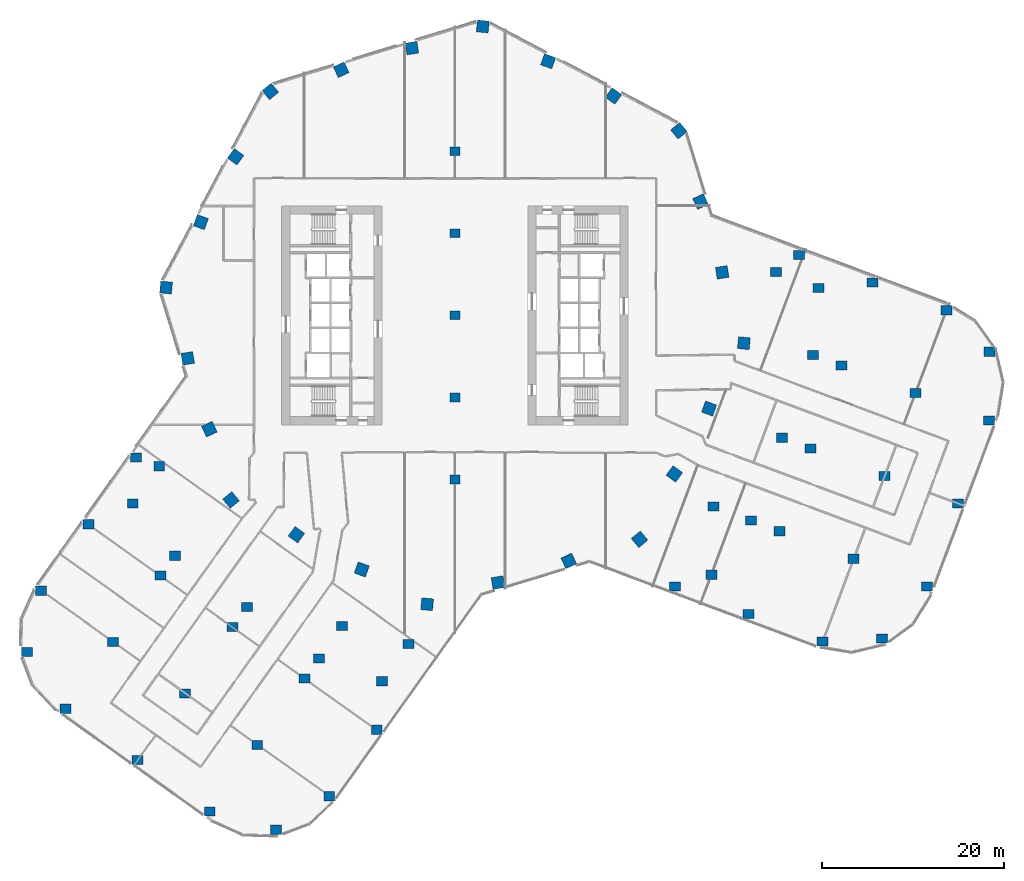
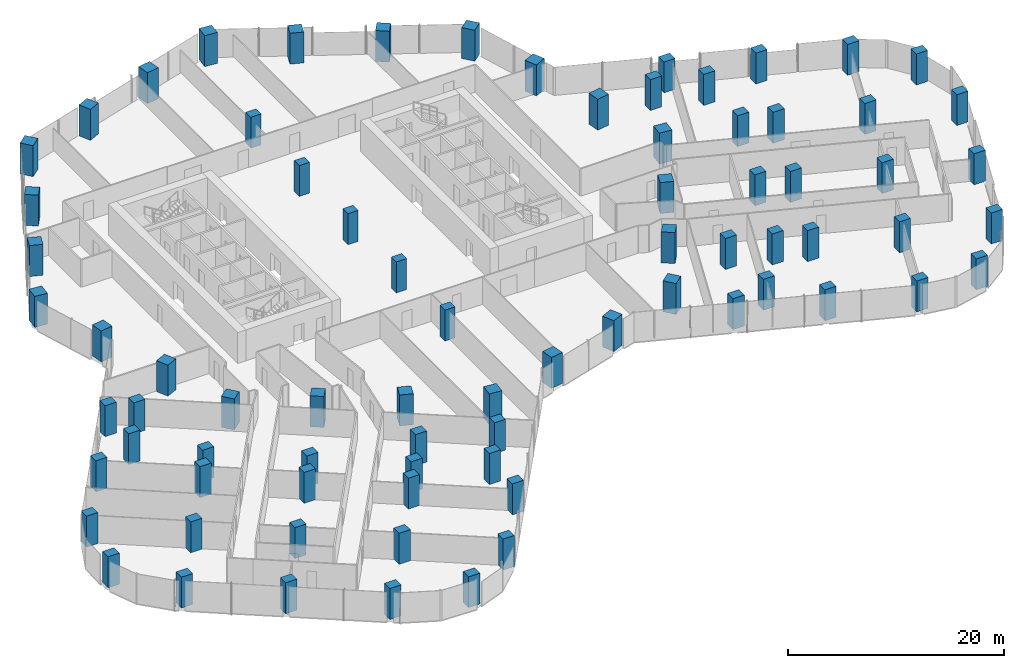
# One storey, part 1 of 31: 77 columns.
"""IFC4 building model written with IfcOpenShell, lengths in metres."""

from ifc_helpers import new_model, si_unit, direction, frame, origin, origin_2d, place, context, subcontext, project, spatial, rectangle, extrude, material, material_profile, profile_set, type_object, element, save


model = new_model("IFC4")

# Units and contexts
model_context = context("Model", 3, precision=1e-05, world=origin(), true_north=direction((0.0, 1.0)))
body_context = subcontext(model_context, "Body", "Model", "MODEL_VIEW")
ifc_project = project(units=[si_unit("LENGTHUNIT", "METRE"), si_unit("AREAUNIT", "SQUARE_METRE"), si_unit("VOLUMEUNIT", "CUBIC_METRE"), si_unit("PLANEANGLEUNIT", "RADIAN"), si_unit("MASSUNIT", "GRAM", prefix="KILO")], contexts=[model_context])

# Site, building, storey
site_placement = place(None, origin())
site = spatial("IfcSite", under=ifc_project, at=site_placement, CompositionType="ELEMENT")
building_placement = place(site_placement, origin())
building = spatial("IfcBuilding", under=site, at=building_placement, Name="Orlundy Tower", CompositionType="ELEMENT")
storey_placement = place(building_placement, frame((0.0, 0.0, 94.699951171875)))
storey = spatial("IfcBuildingStorey", under=building, at=storey_placement, Name="L23", CompositionType="ELEMENT", Elevation=94.699951171875)

# Columns
ifc_material_1 = material(Name="Concrete C80/95", Category="concrete")
ifc_material_profile_1 = material_profile(ifc_material_1, rectangle(XDim=1.10009765625, YDim=0.949951171875, at=origin_2d()), Name="RC1100X950")
ifc_profile_set_1 = profile_set([ifc_material_profile_1], Name="Concrete C80/95")
column_type_1 = type_object("IfcColumnType", Name="RC COLUMN RC1100X950 C80/95", PredefinedType="COLUMN", material=ifc_profile_set_1)
for number, where, z_axis, x_axis, name in (
    (1, (0.0, -18.0, 0.0), (0.0, 0.0, 1.0), (1.0, 0.0, 0.0), "Column C-M1 L23"),
    (2, (0.0, -9.0, 0.0), (0.0, 0.0, 1.0), (1.0, 0.0, 0.0), "Column C-M2 L23"),
    (3, (0.0, 0.0, 0.0), (0.0, 0.0, 1.0), (1.0, 0.0, 0.0), "Column C-M3 L23"),
    (4, (0.0, 9.0, 0.0), (0.0, 0.0, 1.0), (1.0, 0.0, 0.0), "Column C-M4 L23"),
    (5, (0.0, 18.0, 0.0), (0.0, 0.0, 1.0), (1.0, 0.0, 0.0), "Column C-M5 L23"),
):
    element("IfcColumn", number, at=place(storey_placement, frame(where, z_axis=z_axis, x_axis=x_axis)), inside=storey, type_object=column_type_1, Name=name, PredefinedType="COLUMN", context=body_context, shape_type="SweptSolid", body=[
        extrude(rectangle(XDim=1.10009765625, YDim=0.949951171875, at=origin_2d()), origin(), (0.0, 0.0, 1.0), 3.5),
    ])
ifc_material_2 = material(Name="Concrete C80/95", Category="concrete")
ifc_material_profile_2 = material_profile(ifc_material_2, rectangle(XDim=1.199951171875, YDim=1.0, at=origin_2d()), Name="RC1200X1000")
ifc_profile_set_2 = profile_set([ifc_material_profile_2], Name="Concrete C80/95")
column_type_2 = type_object("IfcColumnType", Name="RC COLUMN RC1200X1000 C80/95", PredefinedType="COLUMN", material=ifc_profile_set_2)
for number, where, z_axis, x_axis, name in (
    (6, (24.115966796875, -29.72802734375, 0.0), (0.0, 0.0, 1.0), (1.0, 0.0, 0.0), "Column C-A1-1 L23"),
    (7, (32.202880859375, -32.751953125, 0.0), (0.0, 0.0, 1.0), (1.0, 0.0, 0.0), "Column C-A1-2 L23"),
    (8, (40.291015625, -35.77099609375, 0.0), (0.0, 0.0, 1.0), (1.0, 0.0, 0.0), "Column C-A1-3 L23"),
    (9, (46.846923828125, -35.444091796875, 0.0), (0.0, 0.0, 1.0), (1.0, 0.0, 0.0), "Column C-A1-5 L23"),
    (10, (28.114013671875, -28.43994140625, 0.0), (0.0, 0.0, 1.0), (1.0, 0.0, 0.0), "Column C-A1-6 L23"),
    (11, (35.60009765625, -23.666015625, 0.0), (0.0, 0.0, 1.0), (1.0, 0.0, 0.0), "Column C-A2-2 L23"),
    (12, (43.68603515625, -26.68896484375, 0.0), (0.0, 0.0, 1.0), (1.0, 0.0, 0.0), "Column C-A2-3 L23"),
    (13, (51.77294921875, -29.712890625, 0.0), (0.0, 0.0, 1.0), (1.0, 0.0, 0.0), "Column C-A2-5 L23"),
    (14, (32.47802734375, -22.4990234375, 0.0), (0.0, 0.0, 1.0), (1.0, 0.0, 0.0), "Column C-A2-6 L23"),
    (15, (28.35595703125, -20.9580078125, 0.0), (0.0, 0.0, 1.0), (1.0, 0.0, 0.0), "Column C-A2-7 L23"),
    (16, (38.9970703125, -14.580078125, 0.0), (0.0, 0.0, 1.0), (1.0, 0.0, 0.0), "Column C-A3-2 L23"),
    (17, (47.0830078125, -17.60400390625, 0.0), (0.0, 0.0, 1.0), (1.0, 0.0, 0.0), "Column C-A3-3 L23"),
    (18, (55.169921875, -20.626953125, 0.0), (0.0, 0.0, 1.0), (1.0, 0.0, 0.0), "Column C-A3-5 L23"),
    (19, (35.875, -13.4130859375, 0.0), (0.0, 0.0, 1.0), (1.0, 0.0, 0.0), "Column C-A3-6 L23"),
    (20, (42.39404296875, -5.4951171875, 0.0), (0.0, 0.0, 1.0), (1.0, 0.0, 0.0), "Column C-A4-2 L23"),
    (21, (50.47998046875, -8.51806640625, 0.0), (0.0, 0.0, 1.0), (1.0, 0.0, 0.0), "Column C-A4-3 L23"),
    (22, (58.56689453125, -11.541015625, 0.0), (0.0, 0.0, 1.0), (1.0, 0.0, 0.0), "Column C-A4-5 L23"),
    (23, (39.27197265625, -4.326904296875, 0.0), (0.0, 0.0, 1.0), (1.0, 0.0, 0.0), "Column C-A4-6 L23"),
    (24, (37.7041015625, 6.614990234375, 0.0), (0.0, 0.0, 1.0), (1.0, 0.0, 0.0), "Column C-A5-1 L23"),
    (25, (45.791015625, 3.591064453125, 0.0), (0.0, 0.0, 1.0), (1.0, 0.0, 0.0), "Column C-A5-2 L23"),
    (26, (53.8759765625, 0.56396484375, 0.0), (0.0, 0.0, 1.0), (1.0, 0.0, 0.0), "Column C-A5-3 L23"),
    (27, (58.60888671875, -3.985107421875, 0.0), (0.0, 0.0, 1.0), (1.0, 0.0, 0.0), "Column C-A5-5 L23"),
    (28, (39.8759765625, 3.02001953125, 0.0), (0.0, 0.0, 1.0), (1.0, 0.0, 0.0), "Column C-A5-6 L23"),
    (29, (35.193115234375, 4.77099609375, 0.0), (0.0, 0.0, 1.0), (1.0, 0.0, 0.0), "Column C-A5-7 L23"),
    (30, (-34.95703125, -15.60009765625, 0.0), (0.0, 0.0, 1.0), (1.0, 0.0, 0.0), "Column C-B1-1 L23"),
    (31, (-40.1640625, -22.89990234375, 0.0), (0.0, 0.0, 1.0), (1.0, 0.0, 0.0), "Column C-B1-2 L23"),
    (32, (-45.37109375, -30.199951171875, 0.0), (0.0, 0.0, 1.0), (1.0, 0.0, 0.0), "Column C-B1-3 L23"),
    (33, (-46.94189453125, -36.89111328125, 0.0), (0.0, 0.0, 1.0), (1.0, 0.0, 0.0), "Column C-B1-5 L23"),
    (34, (-35.327880859375, -20.60888671875, 0.0), (0.0, 0.0, 1.0), (1.0, 0.0, 0.0), "Column C-B1-6 L23"),
    (35, (-32.424072265625, -16.5390625, 0.0), (0.0, 0.0, 1.0), (1.0, 0.0, 0.0), "Column C-B1-7 L23"),
    (36, (-32.26708984375, -28.532958984375, 0.0), (0.0, 0.0, 1.0), (1.0, 0.0, 0.0), "Column C-B2-2 L23"),
    (37, (-37.47412109375, -35.8330078125, 0.0), (0.0, 0.0, 1.0), (1.0, 0.0, 0.0), "Column C-B2-3 L23"),
    (38, (-42.680908203125, -43.133056640625, 0.0), (0.0, 0.0, 1.0), (1.0, 0.0, 0.0), "Column C-B2-5 L23"),
    (39, (-30.718994140625, -26.362060546875, 0.0), (0.0, 0.0, 1.0), (1.0, 0.0, 0.0), "Column C-B2-6 L23"),
    (40, (-24.3701171875, -34.166015625, 0.0), (0.0, 0.0, 1.0), (1.0, 0.0, 0.0), "Column C-B3-2 L23"),
    (41, (-29.576904296875, -41.466064453125, 0.0), (0.0, 0.0, 1.0), (1.0, 0.0, 0.0), "Column C-B3-3 L23"),
    (42, (-34.783935546875, -48.76611328125, 0.0), (0.0, 0.0, 1.0), (1.0, 0.0, 0.0), "Column C-B3-5 L23"),
    (43, (-22.822021484375, -31.9951171875, 0.0), (0.0, 0.0, 1.0), (1.0, 0.0, 0.0), "Column C-B3-6 L23"),
    (44, (-16.472900390625, -39.799072265625, 0.0), (0.0, 0.0, 1.0), (1.0, 0.0, 0.0), "Column C-B4-2 L23"),
    (45, (-21.679931640625, -47.097900390625, 0.0), (0.0, 0.0, 1.0), (1.0, 0.0, 0.0), "Column C-B4-3 L23"),
    (46, (-26.886962890625, -54.39794921875, 0.0), (0.0, 0.0, 1.0), (1.0, 0.0, 0.0), "Column C-B4-5 L23"),
    (47, (-14.925048828125, -37.6279296875, 0.0), (0.0, 0.0, 1.0), (1.0, 0.0, 0.0), "Column C-B4-6 L23"),
    (48, (-12.3701171875, -34.044921875, 0.0), (0.0, 0.0, 1.0), (1.0, 0.0, 0.0), "Column C-B4-7 L23"),
    (49, (-8.575927734375, -45.430908203125, 0.0), (0.0, 0.0, 1.0), (1.0, 0.0, 0.0), "Column C-B5-2 L23"),
    (50, (-13.782958984375, -52.73095703125, 0.0), (0.0, 0.0, 1.0), (1.0, 0.0, 0.0), "Column C-B5-3 L23"),
    (51, (-19.59912109375, -56.39501953125, 0.0), (0.0, 0.0, 1.0), (1.0, 0.0, 0.0), "Column C-B5-5 L23"),
    (52, (-7.985107421875, -40.113037109375, 0.0), (0.0, 0.0, 1.0), (1.0, 0.0, 0.0), "Column C-B5-6 L23"),
    (53, (-5.0810546875, -36.0419921875, 0.0), (0.0, 0.0, 1.0), (1.0, 0.0, 0.0), "Column C-B5-7 L23"),
):
    element("IfcColumn", number, at=place(storey_placement, frame(where, z_axis=z_axis, x_axis=x_axis)), inside=storey, type_object=column_type_2, Name=name, PredefinedType="COLUMN", context=body_context, shape_type="SweptSolid", body=[
        extrude(rectangle(XDim=1.199951171875, YDim=1.0, at=origin_2d()), origin(), (0.0, 0.0, 1.0), 3.5),
    ])
ifc_material_3 = material(Name="Concrete C80/95", Category="concrete")
ifc_material_profile_3 = material_profile(ifc_material_3, rectangle(XDim=1.300048828125, YDim=1.300048828125, at=origin_2d()), Name="RC1300X1300")
ifc_profile_set_3 = profile_set([ifc_material_profile_3], Name="Concrete C80/95")
column_type_3 = type_object("IfcColumnType", Name="RC COLUMN RC1300X1300 C80/95", PredefinedType="COLUMN", material=ifc_profile_set_3)
for number, where, z_axis, x_axis, name in (
    (54, (24.554931640625, 20.240966796875, 0.0), (0.0, 0.0, 1.0), (0.771635684929, 0.636064752791, 0.0), "Column C-H01 L23"),
    (55, (26.928955078125, 12.47802734375, 0.0), (0.0, 0.0, 1.0), (0.907330394129, 0.420418310601, 0.0), "Column C-H02 L23"),
    (56, (29.302001953125, 4.714111328125, 0.0), (0.0, 0.0, 1.0), (0.987305923232, 0.158830141822, 0.0), "Column C-H03 L23"),
    (57, (31.676025390625, -3.050048828125, 0.0), (0.0, 0.0, 1.0), (0.995396198367, -0.09584575252, 0.0), "Column C-H04 L23"),
    (58, (27.864013671875, -10.218017578125, 0.0), (0.0, 0.0, 1.0), (0.938866121832, -0.344282449852, 0.0), "Column C-H05 L23"),
    (59, (24.052978515625, -17.386962890625, 0.0), (0.0, 0.0, 1.0), (0.810430359136, -0.585834987851, 0.0), "Column C-H06 L23"),
    (60, (20.240966796875, -24.554931640625, 0.0), (0.0, 0.0, 1.0), (0.636064752791, -0.771635684929, 0.0), "Column C-H07 L23"),
    (61, (12.47802734375, -26.928955078125, 0.0), (0.0, 0.0, 1.0), (0.420418310601, -0.907330394129, 0.0), "Column C-H08 L23"),
    (62, (4.714111328125, -29.302001953125, 0.0), (0.0, 0.0, 1.0), (0.158830141822, -0.987305923232, 0.0), "Column C-H09 L23"),
    (63, (-3.050048828125, -31.676025390625, 0.0), (0.0, 0.0, 1.0), (-0.09584575252, -0.995396198367, 0.0), "Column C-H10 L23"),
    (64, (-10.218017578125, -27.864013671875, 0.0), (0.0, 0.0, 1.0), (-0.344282449852, -0.938866121832, 0.0), "Column C-H11 L23"),
    (65, (-17.386962890625, -24.052978515625, 0.0), (0.0, 0.0, 1.0), (-0.585834987851, -0.810430359136, 0.0), "Column C-H12 L23"),
    (66, (-24.554931640625, -20.240966796875, 0.0), (0.0, 0.0, 1.0), (-0.771635684929, -0.636064752791, 0.0), "Column C-H13 L23"),
    (67, (-26.928955078125, -12.47802734375, 0.0), (0.0, 0.0, 1.0), (-0.907330394129, -0.420418310601, 0.0), "Column C-H14 L23"),
    (68, (-29.302001953125, -4.714111328125, 0.0), (0.0, 0.0, 1.0), (-0.987305923232, -0.158830141822, 0.0), "Column C-H15 L23"),
    (69, (-31.676025390625, 3.050048828125, 0.0), (0.0, 0.0, 1.0), (-0.995396198367, 0.09584575252, 0.0), "Column C-H16 L23"),
    (70, (-27.864013671875, 10.218017578125, 0.0), (0.0, 0.0, 1.0), (-0.938866121832, 0.344282449852, 0.0), "Column C-H17 L23"),
    (71, (-24.052978515625, 17.386962890625, 0.0), (0.0, 0.0, 1.0), (-0.810430359136, 0.585834987851, 0.0), "Column C-H18 L23"),
    (72, (-20.240966796875, 24.554931640625, 0.0), (0.0, 0.0, 1.0), (-0.636064752791, 0.771635684929, 0.0), "Column C-H19 L23"),
    (73, (-12.47802734375, 26.928955078125, 0.0), (0.0, 0.0, 1.0), (-0.420418310601, 0.907330394129, 0.0), "Column C-H20 L23"),
    (74, (-4.714111328125, 29.302001953125, 0.0), (0.0, 0.0, 1.0), (-0.158830141822, 0.987305923232, 0.0), "Column C-H21 L23"),
    (75, (3.050048828125, 31.676025390625, 0.0), (0.0, 0.0, 1.0), (0.09584575252, 0.995396198367, 0.0), "Column C-H22 L23"),
    (76, (10.218017578125, 27.864013671875, 0.0), (0.0, 0.0, 1.0), (0.344282449852, 0.938866121832, 0.0), "Column C-H23 L23"),
    (77, (17.386962890625, 24.052978515625, 0.0), (0.0, 0.0, 1.0), (0.585834987851, 0.810430359136, 0.0), "Column C-H24 L23"),
):
    element("IfcColumn", number, at=place(storey_placement, frame(where, z_axis=z_axis, x_axis=x_axis)), inside=storey, type_object=column_type_3, Name=name, PredefinedType="COLUMN", context=body_context, shape_type="SweptSolid", body=[
        extrude(rectangle(XDim=1.300048828125, YDim=1.300048828125, at=origin_2d()), origin(), (0.0, 0.0, 1.0), 3.5),
    ])

save(model, "model.ifc")
